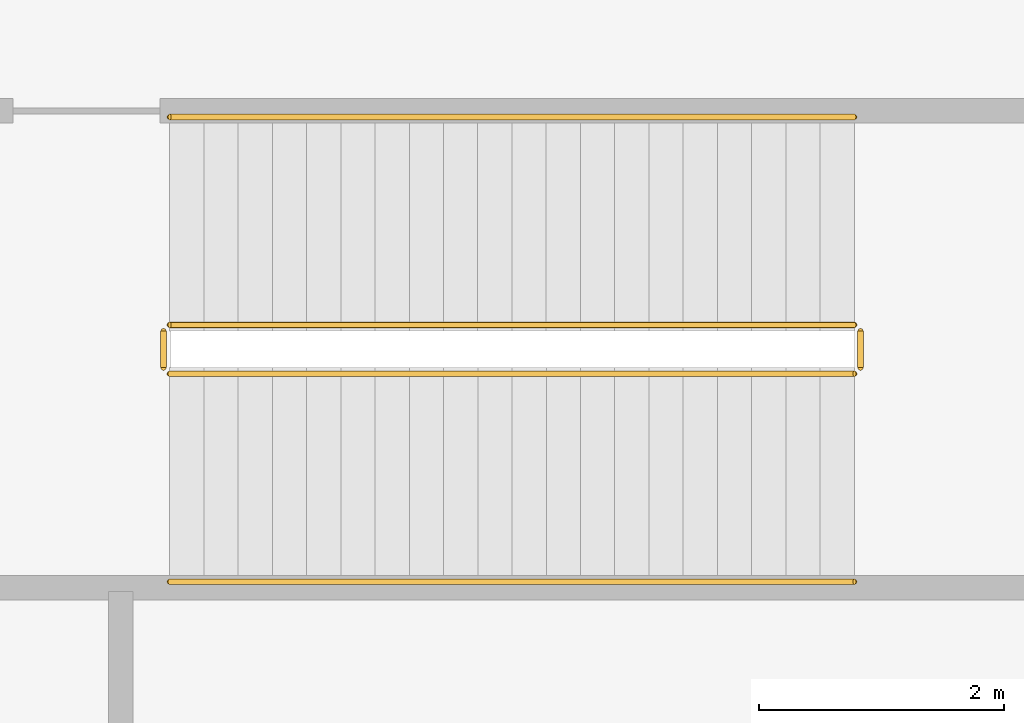
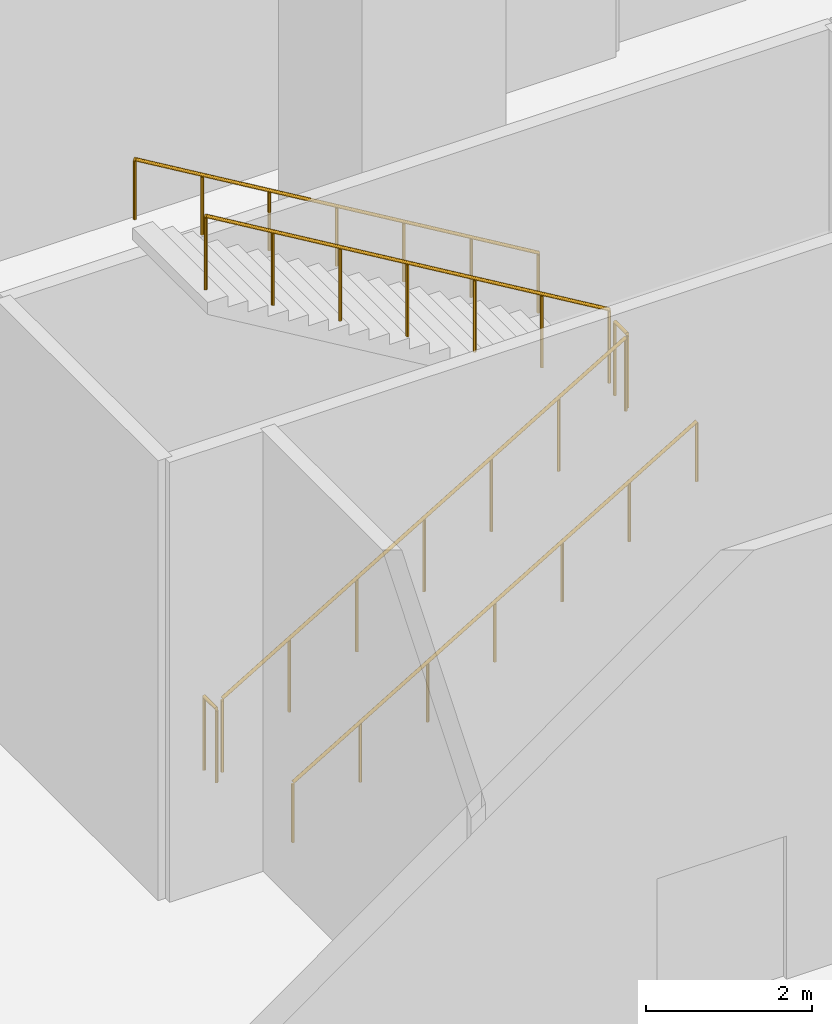
# One storey, part 20 of 37: 6 railings.
"""IFC4 building model written with IfcOpenShell, lengths in metres."""

import ifcopenshell
import ifcopenshell.guid

model = None  # the IFC model being written
_history = None  # IfcOwnerHistory: only IFC2X3 demands one
_inside = {}  # id of a spatial element -> (the spatial element, [elements in it])
_under = {}  # id of a project, library or spatial element -> (it, [spatial elements below it])
_declared = {}  # id of a project -> (the project, [libraries it declares])
_typed = {}  # id of a type object -> (the type object, [elements of that type])
_made_of = {}  # id of a material, layer set ... -> (it, [elements and type objects made of it])


def new_model(schema):
    """Start an empty IFC model of exactly this schema.

    Asked for "IFC4X3", IfcOpenShell would pick the latest addendum, in which some entities
    have other attributes; the version numbers below select the first issue.
    IFC2X3 requires an IfcOwnerHistory on every rooted entity: one is made here for all.
    """
    global model, _history
    if schema == "IFC4X3":
        model = ifcopenshell.file(schema_version=(4, 3, 0, 0))
    else:
        model = ifcopenshell.file(schema=schema)
    _inside.clear()
    _under.clear()
    _declared.clear()
    _typed.clear()
    _made_of.clear()
    _history = None
    if model.schema == "IFC2X3":
        org = make("IfcOrganization", Name="unknown")
        user = make(
            "IfcPersonAndOrganization",
            ThePerson=make("IfcPerson", FamilyName="unknown"),
            TheOrganization=org,
        )
        app = make(
            "IfcApplication",
            ApplicationDeveloper=org,
            Version="unknown",
            ApplicationFullName="unknown",
            ApplicationIdentifier="unknown",
        )
        _history = make(
            "IfcOwnerHistory",
            OwningUser=user,
            OwningApplication=app,
            ChangeAction="ADDED",
            CreationDate=0,
        )
    return model


def make(cls, **values):
    """One entity of the class cls with the attributes given. An attribute that is None is left unset."""
    return model.create_entity(
        cls, **{name: value for name, value in values.items() if value is not None}
    )


def rooted(cls, **values):
    """An entity with a GlobalId (a new one), such as an element, a storey or a relation."""
    return make(cls, GlobalId=ifcopenshell.guid.new(), OwnerHistory=_history, **values)


def si_unit(unit_type, name, prefix=None):
    """IfcSIUnit, for example si_unit("LENGTHUNIT", "METRE", prefix="MILLI")."""
    return make("IfcSIUnit", UnitType=unit_type, Prefix=prefix, Name=name)


def assignment(units):
    """IfcUnitAssignment: the units of a project."""
    return None if units is None else make("IfcUnitAssignment", Units=units)


def point(xyz):
    """IfcCartesianPoint."""
    return None if xyz is None else make("IfcCartesianPoint", Coordinates=xyz)


def direction(xyz):
    """IfcDirection."""
    return None if xyz is None else make("IfcDirection", DirectionRatios=xyz)


def frame(location, z_axis=None, x_axis=None):
    """IfcAxis2Placement3D, a coordinate frame: its origin and axes. An axis left out is left unset."""
    return make(
        "IfcAxis2Placement3D",
        Location=point(location),
        Axis=direction(z_axis),
        RefDirection=direction(x_axis),
    )


def frame_2d(location, x_axis=None):
    """IfcAxis2Placement2D, a coordinate frame in the plane: its origin and x axis."""
    return make(
        "IfcAxis2Placement2D", Location=point(location), RefDirection=direction(x_axis)
    )


def origin():
    """The frame at (0, 0, 0) with its axes left unset."""
    return frame((0.0, 0.0, 0.0))


def origin_2d():
    """The frame at (0, 0) in the plane with its x axis left unset."""
    return frame_2d((0.0, 0.0))


def place(relative_to, where):
    """IfcLocalPlacement: puts the frame where relative to a parent placement (None: the world)."""
    return make(
        "IfcLocalPlacement", PlacementRelTo=relative_to, RelativePlacement=where
    )


def context(
    kind, dimensions, precision=None, world=None, true_north=None, identifier=None
):
    """IfcGeometricRepresentationContext, for example the 3D "Model" context."""
    return make(
        "IfcGeometricRepresentationContext",
        ContextIdentifier=identifier,
        ContextType=kind,
        CoordinateSpaceDimension=dimensions,
        Precision=precision,
        WorldCoordinateSystem=world,
        TrueNorth=true_north,
    )


def subcontext(parent, identifier, kind, view, scale=None):
    """IfcGeometricRepresentationSubContext, for example "Body" below "Model"."""
    return make(
        "IfcGeometricRepresentationSubContext",
        ContextIdentifier=identifier,
        ContextType=kind,
        ParentContext=parent,
        TargetScale=scale,
        TargetView=view,
    )


def project(units=None, contexts=None):
    """IfcProject with its units and contexts."""
    return rooted(
        "IfcProject",
        Name="project",
        RepresentationContexts=contexts,
        UnitsInContext=assignment(units),
    )


def spatial(cls, under=None, at=None, **own):
    """A site, building, storey or space (cls), placed at a placement, below another one or the project."""
    s = rooted(cls, ObjectPlacement=at, **own)
    if under is not None:
        _under.setdefault(under.id(), (under, []))[1].append(s)
    return s


def profile(cls, at=None, kind="AREA", **sizes):
    """A parametric profile (cls). Its sizes go by their IFC names, for example OverallWidth=200.0."""
    return make(cls, ProfileType=kind, Position=at, **sizes)


def circle(**sizes):
    """IfcCircleProfileDef."""
    return profile("IfcCircleProfileDef", **sizes)


def extrude(swept, where, along, depth):
    """IfcExtrudedAreaSolid: the profile swept, set in the frame where, extruded along a direction by depth."""
    return make(
        "IfcExtrudedAreaSolid",
        SweptArea=swept,
        Position=where,
        ExtrudedDirection=direction(along),
        Depth=depth,
    )


def shape(context_of_items, identifier, shape_type, items):
    """IfcShapeRepresentation: the items that make up one representation, for example the "Body"."""
    return make(
        "IfcShapeRepresentation",
        ContextOfItems=context_of_items,
        RepresentationIdentifier=identifier,
        RepresentationType=shape_type,
        Items=items,
    )


def material(Name=None, Category=None):
    """IfcMaterial."""
    return make("IfcMaterial", Name=Name, Category=Category)


def made_of(thing, what):
    """Note that an element or type object is made of a material, layer set ...; save() writes the relation."""
    if what is not None:
        _made_of.setdefault(what.id(), (what, []))[1].append(thing)
    return thing


def type_object(cls, material=None, **own):
    """A type object (cls), such as IfcWallType, which elements share."""
    return made_of(rooted(cls, **own), material)


def element(
    cls,
    number,
    at=None,
    inside=None,
    cuts=None,
    type_object=None,
    material=None,
    context=None,
    identifier="Body",
    shape_type=None,
    held_by="IfcProductDefinitionShape",
    body=None,
    shapes=None,
    **own,
):
    """One element of the class cls, such as IfcWall. Its Tag is "e" and its number.

    at: its placement. inside: the storey or other place that contains it. cuts: it is an
    opening in that element (IfcRelVoidsElement). A single representation is given by context,
    identifier, shape_type and body (its items); several are given by shapes. held_by: the class
    of the entity that holds the representations. save() writes the other relations.
    """
    e = rooted(cls, Tag="e%d" % number, ObjectPlacement=at, **own)
    if body is not None:
        shapes = [shape(context, identifier, shape_type, body)]
    if shapes is not None:
        e.Representation = make(held_by, Representations=shapes)
    if inside is not None:
        _inside.setdefault(inside.id(), (inside, []))[1].append(e)
    if cuts is not None:
        rooted(
            "IfcRelVoidsElement", RelatingBuildingElement=cuts, RelatedOpeningElement=e
        )
    if type_object is not None:
        _typed.setdefault(type_object.id(), (type_object, []))[1].append(e)
    return made_of(e, material)


def aggregate(whole, parts):
    """IfcRelAggregates: a whole, such as a stair, and the parts it consists of."""
    return rooted("IfcRelAggregates", RelatingObject=whole, RelatedObjects=parts)


def save(model, path):
    """Write the relations noted so far, then the file.

    IfcRelAggregates (storeys below a building ...), IfcRelContainedInSpatialStructure (elements
    in a storey), IfcRelDefinesByType, IfcRelAssociatesMaterial and IfcRelDeclares: one each for
    every whole, place, type object, material and project.
    """
    for whole, parts in _under.values():
        aggregate(whole, parts)
    for where, things in _inside.values():
        rooted(
            "IfcRelContainedInSpatialStructure",
            RelatedElements=things,
            RelatingStructure=where,
        )
    for kind, things in _typed.values():
        rooted("IfcRelDefinesByType", RelatedObjects=things, RelatingType=kind)
    for what, things in _made_of.values():
        rooted("IfcRelAssociatesMaterial", RelatedObjects=things, RelatingMaterial=what)
    for by, libraries in _declared.values():
        rooted("IfcRelDeclares", RelatingContext=by, RelatedDefinitions=libraries)
    model.write(path)


model = new_model("IFC4")

# Units and contexts
model_context = context("Model", 3, precision=1e-05, world=origin(), true_north=direction((0.0, 1.0)))
body_context = subcontext(model_context, "Body", "Model", "MODEL_VIEW")
ifc_project = project(units=[si_unit("LENGTHUNIT", "METRE"), si_unit("AREAUNIT", "SQUARE_METRE"), si_unit("VOLUMEUNIT", "CUBIC_METRE"), si_unit("PLANEANGLEUNIT", "RADIAN"), si_unit("MASSUNIT", "GRAM", prefix="KILO")], contexts=[model_context])

# Site, building, storey
site_placement = place(None, origin())
site = spatial("IfcSite", under=ifc_project, at=site_placement, CompositionType="ELEMENT")
building_placement = place(site_placement, origin())
building = spatial("IfcBuilding", under=site, at=building_placement, Name="Tamarind Cross Interchange Tower", CompositionType="ELEMENT")
storey_placement = place(building_placement, frame((0.0, 0.0, -7.0)))
storey = spatial("IfcBuildingStorey", under=building, at=storey_placement, Name="B1", CompositionType="ELEMENT", Elevation=-7.0)

# Railings
ifc_material_1 = material(Name="Public stair guard")
railing_type_1 = type_object("IfcRailingType", Name="Public stair guard", PredefinedType="GUARDRAIL", material=ifc_material_1)
railing_1_placement = place(storey_placement, frame((-60.199951171875, -33.64990234375, 0.166748046875)))
element("IfcRailing", 1, at=railing_1_placement, inside=storey, type_object=railing_type_1, Name="B1 XS-P07 stair guard 1", PredefinedType="GUARDRAIL", context=body_context, shape_type="SweptSolid", body=[
    extrude(circle(Radius=0.02392578125, at=origin_2d()), frame((0.0, 0.0, 1.076171875), z_axis=(0.859292492371, 0.0, 0.511484518392), x_axis=(0.0, 1.0, 0.0)), (0.0, 0.0, 1.0), 6.516845703125),
    extrude(circle(Radius=0.02099609375, at=origin_2d()), origin(), (0.0, 0.0, 1.0), 1.052001953125),
    extrude(circle(Radius=0.02099609375, at=origin_2d()), frame((0.933349609375, 0.0, 0.5556640625)), (0.0, 0.0, 1.0), 1.052001953125),
    extrude(circle(Radius=0.02099609375, at=origin_2d()), frame((1.86669921875, 0.0, 1.111083984375)), (0.0, 0.0, 1.0), 1.052001953125),
    extrude(circle(Radius=0.02099609375, at=origin_2d()), frame((2.7998046875, 0.0, 1.66650390625)), (0.0, 0.0, 1.0), 1.052001953125),
    extrude(circle(Radius=0.02099609375, at=origin_2d()), frame((3.733154296875, 0.0, 2.22216796875)), (0.0, 0.0, 1.0), 1.052001953125),
    extrude(circle(Radius=0.02099609375, at=origin_2d()), frame((4.66650390625, 0.0, 2.77783203125)), (0.0, 0.0, 1.0), 1.052001953125),
    extrude(circle(Radius=0.02099609375, at=origin_2d()), frame((5.599853515625, 0.0, 3.333251953125)), (0.0, 0.0, 1.0), 1.052001953125),
])
railing_2_placement = place(storey_placement, frame((-54.550048828125, -33.60009765625, 3.5)))
element("IfcRailing", 2, at=railing_2_placement, inside=storey, type_object=railing_type_1, Name="B1 XS-P07 stair guard 2", PredefinedType="GUARDRAIL", context=body_context, shape_type="SweptSolid", body=[
    extrude(circle(Radius=0.02392578125, at=origin_2d()), frame((0.0, 0.0, 1.076171875), z_axis=(0.0, 1.0, 0.0), x_axis=(-1.0, 0.0, 0.0)), (0.0, 0.0, 1.0), 0.300048828125),
    extrude(circle(Radius=0.02099609375, at=origin_2d()), origin(), (0.0, 0.0, 1.0), 1.052001953125),
    extrude(circle(Radius=0.02099609375, at=origin_2d()), frame((0.0, 0.300048828125, 0.0)), (0.0, 0.0, 1.0), 1.052001953125),
])
railing_3_placement = place(storey_placement, frame((-54.60009765625, -33.25, 3.666748046875)))
element("IfcRailing", 3, at=railing_3_placement, inside=storey, type_object=railing_type_1, Name="B1 XS-P07 stair guard 3", PredefinedType="GUARDRAIL", context=body_context, shape_type="SweptSolid", body=[
    extrude(circle(Radius=0.02392578125, at=origin_2d()), frame((0.0, 0.0, 1.076171875), z_axis=(-0.859292492371, 0.0, 0.511484518392), x_axis=(0.0, -1.0, 0.0)), (0.0, 0.0, 1.0), 6.516845703125),
    extrude(circle(Radius=0.02099609375, at=origin_2d()), origin(), (0.0, 0.0, 1.0), 1.052001953125),
    extrude(circle(Radius=0.02099609375, at=origin_2d()), frame((-0.933349609375, 0.0, 0.5556640625)), (0.0, 0.0, 1.0), 1.052001953125),
    extrude(circle(Radius=0.02099609375, at=origin_2d()), frame((-1.86669921875, 0.0, 1.111083984375)), (0.0, 0.0, 1.0), 1.052001953125),
    extrude(circle(Radius=0.02099609375, at=origin_2d()), frame((-2.7998046875, 0.0, 1.66650390625)), (0.0, 0.0, 1.0), 1.052001953125),
    extrude(circle(Radius=0.02099609375, at=origin_2d()), frame((-3.733154296875, 0.0, 2.22216796875)), (0.0, 0.0, 1.0), 1.052001953125),
    extrude(circle(Radius=0.02099609375, at=origin_2d()), frame((-4.66650390625, 0.0, 2.77783203125)), (0.0, 0.0, 1.0), 1.052001953125),
    extrude(circle(Radius=0.02099609375, at=origin_2d()), frame((-5.599853515625, 0.0, 3.333251953125)), (0.0, 0.0, 1.0), 1.052001953125),
])
railing_4_placement = place(storey_placement, frame((-60.25, -33.60009765625, 0.0)))
element("IfcRailing", 4, at=railing_4_placement, inside=storey, type_object=railing_type_1, Name="B1 XS-P07 stair guard 4", PredefinedType="GUARDRAIL", context=body_context, shape_type="SweptSolid", body=[
    extrude(circle(Radius=0.02392578125, at=origin_2d()), frame((0.0, 0.0, 1.076171875), z_axis=(0.0, 1.0, 0.0), x_axis=(-1.0, 0.0, 0.0)), (0.0, 0.0, 1.0), 0.300048828125),
    extrude(circle(Radius=0.02099609375, at=origin_2d()), origin(), (0.0, 0.0, 1.0), 1.052001953125),
    extrude(circle(Radius=0.02099609375, at=origin_2d()), frame((0.0, 0.300048828125, 0.0)), (0.0, 0.0, 1.0), 1.052001953125),
])
ifc_material_2 = material(Name="Public stair handrail")
railing_type_2 = type_object("IfcRailingType", Name="Public stair handrail", PredefinedType="HANDRAIL", material=ifc_material_2)
railing_5_placement = place(storey_placement, frame((-60.199951171875, -35.35009765625, 0.166748046875)))
element("IfcRailing", 5, at=railing_5_placement, inside=storey, type_object=railing_type_2, Name="B1 XS-P07 stair handrail 1", PredefinedType="HANDRAIL", context=body_context, shape_type="SweptSolid", body=[
    extrude(circle(Radius=0.02392578125, at=origin_2d()), frame((0.0, 0.0, 0.8759765625), z_axis=(0.859292492371, 0.0, 0.511484518392), x_axis=(0.0, 1.0, 0.0)), (0.0, 0.0, 1.0), 6.516845703125),
    extrude(circle(Radius=0.02099609375, at=origin_2d()), origin(), (0.0, 0.0, 1.0), 0.851806640625),
    extrude(circle(Radius=0.02099609375, at=origin_2d()), frame((0.933349609375, 0.0, 0.5556640625)), (0.0, 0.0, 1.0), 0.851806640625),
    extrude(circle(Radius=0.02099609375, at=origin_2d()), frame((1.86669921875, 0.0, 1.111083984375)), (0.0, 0.0, 1.0), 0.851806640625),
    extrude(circle(Radius=0.02099609375, at=origin_2d()), frame((2.7998046875, 0.0, 1.66650390625)), (0.0, 0.0, 1.0), 0.851806640625),
    extrude(circle(Radius=0.02099609375, at=origin_2d()), frame((3.733154296875, 0.0, 2.22216796875)), (0.0, 0.0, 1.0), 0.851806640625),
    extrude(circle(Radius=0.02099609375, at=origin_2d()), frame((4.66650390625, 0.0, 2.77783203125)), (0.0, 0.0, 1.0), 0.851806640625),
    extrude(circle(Radius=0.02099609375, at=origin_2d()), frame((5.599853515625, 0.0, 3.333251953125)), (0.0, 0.0, 1.0), 0.851806640625),
])
railing_6_placement = place(storey_placement, frame((-54.60009765625, -31.550048828125, 3.666748046875)))
element("IfcRailing", 6, at=railing_6_placement, inside=storey, type_object=railing_type_2, Name="B1 XS-P07 stair handrail 2", PredefinedType="HANDRAIL", context=body_context, shape_type="SweptSolid", body=[
    extrude(circle(Radius=0.02392578125, at=origin_2d()), frame((0.0, 0.0, 0.8759765625), z_axis=(-0.859292492371, 0.0, 0.511484518392), x_axis=(0.0, -1.0, 0.0)), (0.0, 0.0, 1.0), 6.516845703125),
    extrude(circle(Radius=0.02099609375, at=origin_2d()), origin(), (0.0, 0.0, 1.0), 0.851806640625),
    extrude(circle(Radius=0.02099609375, at=origin_2d()), frame((-0.933349609375, 0.0, 0.5556640625)), (0.0, 0.0, 1.0), 0.851806640625),
    extrude(circle(Radius=0.02099609375, at=origin_2d()), frame((-1.86669921875, 0.0, 1.111083984375)), (0.0, 0.0, 1.0), 0.851806640625),
    extrude(circle(Radius=0.02099609375, at=origin_2d()), frame((-2.7998046875, 0.0, 1.66650390625)), (0.0, 0.0, 1.0), 0.851806640625),
    extrude(circle(Radius=0.02099609375, at=origin_2d()), frame((-3.733154296875, 0.0, 2.22216796875)), (0.0, 0.0, 1.0), 0.851806640625),
    extrude(circle(Radius=0.02099609375, at=origin_2d()), frame((-4.66650390625, 0.0, 2.77783203125)), (0.0, 0.0, 1.0), 0.851806640625),
    extrude(circle(Radius=0.02099609375, at=origin_2d()), frame((-5.599853515625, 0.0, 3.333251953125)), (0.0, 0.0, 1.0), 0.851806640625),
])

save(model, "model.ifc")
